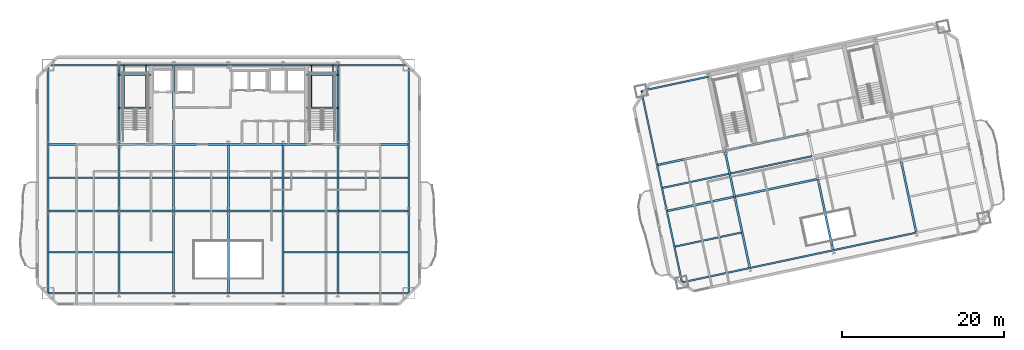
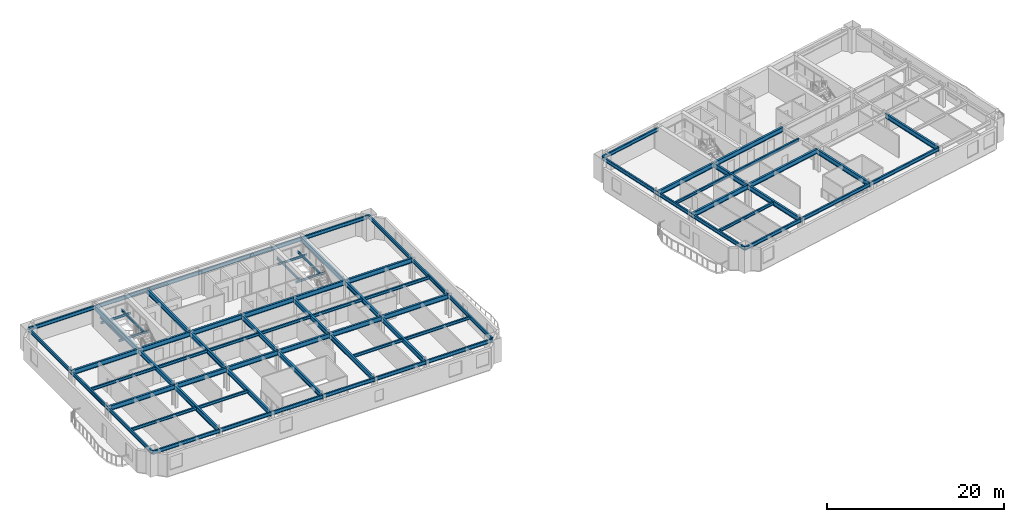
# One storey, part 3 of 13: 79 beams.
"""IFC4 building model written with IfcOpenShell, lengths in metres."""

from ifc_helpers import new_model, si_unit, direction, frame, origin, origin_2d, place, context, subcontext, project, spatial, i_section, extrude, material, material_profile, profile_set, type_object, element, save


model = new_model("IFC4")

# Units and contexts
model_context = context("Model", 3, precision=1e-05, world=origin(), true_north=direction((0.0, 1.0)))
body_context = subcontext(model_context, "Body", "Model", "MODEL_VIEW")
ifc_project = project(units=[si_unit("LENGTHUNIT", "METRE"), si_unit("AREAUNIT", "SQUARE_METRE"), si_unit("VOLUMEUNIT", "CUBIC_METRE"), si_unit("PLANEANGLEUNIT", "RADIAN"), si_unit("MASSUNIT", "GRAM", prefix="KILO")], contexts=[model_context])

# Site, building, storey
site_placement = place(None, origin())
site = spatial("IfcSite", under=ifc_project, at=site_placement, CompositionType="ELEMENT")
building_placement = place(site_placement, origin())
building = spatial("IfcBuilding", under=site, at=building_placement, Name="Haevon Station Towers", CompositionType="ELEMENT")
storey_placement = place(building_placement, frame((0.0, 0.0, 96.60009765625)))
storey = spatial("IfcBuildingStorey", under=building, at=storey_placement, Name="L25", CompositionType="ELEMENT", Elevation=96.60009765625)

# Beams
ifc_material = material(Name="Steel S355", Category="steel")
ifc_material_profile_1 = material_profile(ifc_material, i_section(OverallWidth=0.25, OverallDepth=0.64990234375, WebThickness=0.012939453125, FlangeThickness=0.02197265625, at=origin_2d()), Name="H-650x250x13x22")
ifc_profile_set_1 = profile_set([ifc_material_profile_1], Name="Steel S355")
beam_type_1 = type_object("IfcBeamType", Name="BM-G650", PredefinedType="BEAM", material=ifc_profile_set_1)
beam_1_placement = place(storey_placement, frame((15.25, 30.0, 2.724853515625), z_axis=(1.0, 0.0, 0.0), x_axis=(0.0, 1.0, 0.0)))
element("IfcBeam", 1, at=beam_1_placement, inside=storey, type_object=beam_type_1, Name="BM-T1U-L25-02-01", PredefinedType="BEAM", context=body_context, shape_type="SweptSolid", body=[
    extrude(i_section(OverallWidth=0.25, OverallDepth=0.64990234375, WebThickness=0.012939453125, FlangeThickness=0.02197265625, at=origin_2d()), origin(), (0.0, 0.0, 1.0), 8.75),
])
for number, where, z_axis, x_axis, name in (
    (2, (24.0, 30.0, 2.724853515625), (1.0, 0.0, 0.0), (0.0, 1.0, 0.0), "BM-T1U-L25-02-02"),
    (3, (30.75, 30.0, 2.724853515625), (1.0, 0.0, 0.0), (0.0, 1.0, 0.0), "BM-T1U-L25-02-03"),
    (4, (37.5, 30.0, 2.724853515625), (1.0, 0.0, 0.0), (0.0, 1.0, 0.0), "BM-T1U-L25-02-04"),
    (5, (44.25, 30.0, 2.724853515625), (1.0, 0.0, 0.0), (0.0, 1.0, 0.0), "BM-T1U-L25-02-05"),
):
    element("IfcBeam", number, at=place(storey_placement, frame(where, z_axis=z_axis, x_axis=x_axis)), inside=storey, type_object=beam_type_1, Name=name, PredefinedType="BEAM", context=body_context, shape_type="SweptSolid", body=[
        extrude(i_section(OverallWidth=0.25, OverallDepth=0.64990234375, WebThickness=0.012939453125, FlangeThickness=0.02197265625, at=origin_2d()), origin(), (0.0, 0.0, 1.0), 6.75),
    ])
for number, where, z_axis, x_axis, name in (
    (6, (51.0, 30.0, 2.724853515625), (1.0, 0.0, 0.0), (0.0, 1.0, 0.0), "BM-T1U-L25-02-06"),
    (7, (15.25, 38.199951171875, 2.724853515625), (1.0, 0.0, 0.0), (0.0, 1.0, 0.0), "BM-T1U-L25-03-01"),
):
    element("IfcBeam", number, at=place(storey_placement, frame(where, z_axis=z_axis, x_axis=x_axis)), inside=storey, type_object=beam_type_1, Name=name, PredefinedType="BEAM", context=body_context, shape_type="SweptSolid", body=[
        extrude(i_section(OverallWidth=0.25, OverallDepth=0.64990234375, WebThickness=0.012939453125, FlangeThickness=0.02197265625, at=origin_2d()), origin(), (0.0, 0.0, 1.0), 8.75),
    ])
for number, where, z_axis, x_axis, name in (
    (8, (24.0, 38.199951171875, 2.724853515625), (1.0, 0.0, 0.0), (0.0, 1.0, 0.0), "BM-T1U-L25-03-02"),
    (9, (30.75, 38.199951171875, 2.724853515625), (1.0, 0.0, 0.0), (0.0, 1.0, 0.0), "BM-T1U-L25-03-03"),
    (10, (37.5, 38.199951171875, 2.724853515625), (1.0, 0.0, 0.0), (0.0, 1.0, 0.0), "BM-T1U-L25-03-04"),
    (11, (44.25, 38.199951171875, 2.724853515625), (1.0, 0.0, 0.0), (0.0, 1.0, 0.0), "BM-T1U-L25-03-05"),
):
    element("IfcBeam", number, at=place(storey_placement, frame(where, z_axis=z_axis, x_axis=x_axis)), inside=storey, type_object=beam_type_1, Name=name, PredefinedType="BEAM", context=body_context, shape_type="SweptSolid", body=[
        extrude(i_section(OverallWidth=0.25, OverallDepth=0.64990234375, WebThickness=0.012939453125, FlangeThickness=0.02197265625, at=origin_2d()), origin(), (0.0, 0.0, 1.0), 6.75),
    ])
beam_2_placement = place(storey_placement, frame((51.0, 38.199951171875, 2.724853515625), z_axis=(1.0, 0.0, 0.0), x_axis=(0.0, 1.0, 0.0)))
element("IfcBeam", 12, at=beam_2_placement, inside=storey, type_object=beam_type_1, Name="BM-T1U-L25-03-06", PredefinedType="BEAM", context=body_context, shape_type="SweptSolid", body=[
    extrude(i_section(OverallWidth=0.25, OverallDepth=0.64990234375, WebThickness=0.012939453125, FlangeThickness=0.02197265625, at=origin_2d()), origin(), (0.0, 0.0, 1.0), 8.75),
])
beam_3_placement = place(storey_placement, frame((24.0, 19.85009765625, 2.724853515625), z_axis=(0.0, 1.0, 0.0), x_axis=(-1.0, 0.0, 0.0)))
element("IfcBeam", 13, at=beam_3_placement, inside=storey, type_object=beam_type_1, Name="BM-T1V-L25-02-01", PredefinedType="BEAM", context=body_context, shape_type="SweptSolid", body=[
    extrude(i_section(OverallWidth=0.25, OverallDepth=0.64990234375, WebThickness=0.012939453125, FlangeThickness=0.02197265625, at=origin_2d()), origin(), (0.0, 0.0, 1.0), 10.14990234375),
])
beam_4_placement = place(storey_placement, frame((24.0, 30.0, 2.724853515625), z_axis=(0.0, 1.0, 0.0), x_axis=(-1.0, 0.0, 0.0)))
element("IfcBeam", 14, at=beam_4_placement, inside=storey, type_object=beam_type_1, Name="BM-T1V-L25-02-02", PredefinedType="BEAM", context=body_context, shape_type="SweptSolid", body=[
    extrude(i_section(OverallWidth=0.25, OverallDepth=0.64990234375, WebThickness=0.012939453125, FlangeThickness=0.02197265625, at=origin_2d()), origin(), (0.0, 0.0, 1.0), 8.199951171875),
])
beam_5_placement = place(storey_placement, frame((24.0, 38.199951171875, 2.724853515625), z_axis=(0.0, 1.0, 0.0), x_axis=(-1.0, 0.0, 0.0)))
element("IfcBeam", 15, at=beam_5_placement, inside=storey, type_object=beam_type_1, Name="BM-T1V-L25-02-03", PredefinedType="BEAM", context=body_context, shape_type="SweptSolid", body=[
    extrude(i_section(OverallWidth=0.25, OverallDepth=0.64990234375, WebThickness=0.012939453125, FlangeThickness=0.02197265625, at=origin_2d()), origin(), (0.0, 0.0, 1.0), 9.800048828125),
])
beam_6_placement = place(storey_placement, frame((30.75, 19.85009765625, 2.724853515625), z_axis=(0.0, 1.0, 0.0), x_axis=(-1.0, 0.0, 0.0)))
element("IfcBeam", 16, at=beam_6_placement, inside=storey, type_object=beam_type_1, Name="BM-T1V-L25-03-01", PredefinedType="BEAM", context=body_context, shape_type="SweptSolid", body=[
    extrude(i_section(OverallWidth=0.25, OverallDepth=0.64990234375, WebThickness=0.012939453125, FlangeThickness=0.02197265625, at=origin_2d()), origin(), (0.0, 0.0, 1.0), 10.14990234375),
])
beam_7_placement = place(storey_placement, frame((30.75, 30.0, 2.724853515625), z_axis=(0.0, 1.0, 0.0), x_axis=(-1.0, 0.0, 0.0)))
element("IfcBeam", 17, at=beam_7_placement, inside=storey, type_object=beam_type_1, Name="BM-T1V-L25-03-02", PredefinedType="BEAM", context=body_context, shape_type="SweptSolid", body=[
    extrude(i_section(OverallWidth=0.25, OverallDepth=0.64990234375, WebThickness=0.012939453125, FlangeThickness=0.02197265625, at=origin_2d()), origin(), (0.0, 0.0, 1.0), 8.199951171875),
])
beam_8_placement = place(storey_placement, frame((30.75, 38.199951171875, 2.724853515625), z_axis=(0.0, 1.0, 0.0), x_axis=(-1.0, 0.0, 0.0)))
element("IfcBeam", 18, at=beam_8_placement, inside=storey, type_object=beam_type_1, Name="BM-T1V-L25-03-03", PredefinedType="BEAM", context=body_context, shape_type="SweptSolid", body=[
    extrude(i_section(OverallWidth=0.25, OverallDepth=0.64990234375, WebThickness=0.012939453125, FlangeThickness=0.02197265625, at=origin_2d()), origin(), (0.0, 0.0, 1.0), 9.800048828125),
])
beam_9_placement = place(storey_placement, frame((37.5, 19.85009765625, 2.724853515625), z_axis=(0.0, 1.0, 0.0), x_axis=(-1.0, 0.0, 0.0)))
element("IfcBeam", 19, at=beam_9_placement, inside=storey, type_object=beam_type_1, Name="BM-T1V-L25-04-01", PredefinedType="BEAM", context=body_context, shape_type="SweptSolid", body=[
    extrude(i_section(OverallWidth=0.25, OverallDepth=0.64990234375, WebThickness=0.012939453125, FlangeThickness=0.02197265625, at=origin_2d()), origin(), (0.0, 0.0, 1.0), 10.14990234375),
])
beam_10_placement = place(storey_placement, frame((37.5, 30.0, 2.724853515625), z_axis=(0.0, 1.0, 0.0), x_axis=(-1.0, 0.0, 0.0)))
element("IfcBeam", 20, at=beam_10_placement, inside=storey, type_object=beam_type_1, Name="BM-T1V-L25-04-02", PredefinedType="BEAM", context=body_context, shape_type="SweptSolid", body=[
    extrude(i_section(OverallWidth=0.25, OverallDepth=0.64990234375, WebThickness=0.012939453125, FlangeThickness=0.02197265625, at=origin_2d()), origin(), (0.0, 0.0, 1.0), 8.199951171875),
])
beam_11_placement = place(storey_placement, frame((44.25, 19.85009765625, 2.724853515625), z_axis=(0.0, 1.0, 0.0), x_axis=(-1.0, 0.0, 0.0)))
element("IfcBeam", 21, at=beam_11_placement, inside=storey, type_object=beam_type_1, Name="BM-T1V-L25-05-01", PredefinedType="BEAM", context=body_context, shape_type="SweptSolid", body=[
    extrude(i_section(OverallWidth=0.25, OverallDepth=0.64990234375, WebThickness=0.012939453125, FlangeThickness=0.02197265625, at=origin_2d()), origin(), (0.0, 0.0, 1.0), 10.14990234375),
])
beam_12_placement = place(storey_placement, frame((44.25, 30.0, 2.724853515625), z_axis=(0.0, 1.0, 0.0), x_axis=(-1.0, 0.0, 0.0)))
element("IfcBeam", 22, at=beam_12_placement, inside=storey, type_object=beam_type_1, Name="BM-T1V-L25-05-02", PredefinedType="BEAM", context=body_context, shape_type="SweptSolid", body=[
    extrude(i_section(OverallWidth=0.25, OverallDepth=0.64990234375, WebThickness=0.012939453125, FlangeThickness=0.02197265625, at=origin_2d()), origin(), (0.0, 0.0, 1.0), 8.199951171875),
])
beam_13_placement = place(storey_placement, frame((51.0, 19.85009765625, 2.724853515625), z_axis=(0.0, 1.0, 0.0), x_axis=(-1.0, 0.0, 0.0)))
element("IfcBeam", 23, at=beam_13_placement, inside=storey, type_object=beam_type_1, Name="BM-T1V-L25-06-01", PredefinedType="BEAM", context=body_context, shape_type="SweptSolid", body=[
    extrude(i_section(OverallWidth=0.25, OverallDepth=0.64990234375, WebThickness=0.012939453125, FlangeThickness=0.02197265625, at=origin_2d()), origin(), (0.0, 0.0, 1.0), 10.14990234375),
])
beam_14_placement = place(storey_placement, frame((51.0, 30.0, 2.724853515625), z_axis=(0.0, 1.0, 0.0), x_axis=(-1.0, 0.0, 0.0)))
element("IfcBeam", 24, at=beam_14_placement, inside=storey, type_object=beam_type_1, Name="BM-T1V-L25-06-02", PredefinedType="BEAM", context=body_context, shape_type="SweptSolid", body=[
    extrude(i_section(OverallWidth=0.25, OverallDepth=0.64990234375, WebThickness=0.012939453125, FlangeThickness=0.02197265625, at=origin_2d()), origin(), (0.0, 0.0, 1.0), 8.199951171875),
])
beam_15_placement = place(storey_placement, frame((51.0, 38.199951171875, 2.724853515625), z_axis=(0.0, 1.0, 0.0), x_axis=(-1.0, 0.0, 0.0)))
element("IfcBeam", 25, at=beam_15_placement, inside=storey, type_object=beam_type_1, Name="BM-T1V-L25-06-03", PredefinedType="BEAM", context=body_context, shape_type="SweptSolid", body=[
    extrude(i_section(OverallWidth=0.25, OverallDepth=0.64990234375, WebThickness=0.012939453125, FlangeThickness=0.02197265625, at=origin_2d()), origin(), (0.0, 0.0, 1.0), 9.800048828125),
])
beam_16_placement = place(storey_placement, frame((91.594970703125, 29.991455078125, 2.724853515625), z_axis=(0.978149560998, 0.207902468287, 0.0), x_axis=(-0.207902468287, 0.978149560998, 0.0)))
element("IfcBeam", 26, at=beam_16_placement, inside=storey, type_object=beam_type_1, Name="BM-T2U-L25-02-01", PredefinedType="BEAM", context=body_context, shape_type="SweptSolid", body=[
    extrude(i_section(OverallWidth=0.25, OverallDepth=0.64990234375, WebThickness=0.012939453125, FlangeThickness=0.02197265625, at=origin_2d()), origin(), (0.0, 0.0, 1.0), 8.550048828125),
])
beam_17_placement = place(storey_placement, frame((99.958251953125, 31.76904296875, 2.724853515625), z_axis=(0.978146794194, 0.207915485254, 0.0), x_axis=(-0.207915485254, 0.978146794194, 0.0)))
element("IfcBeam", 27, at=beam_17_placement, inside=storey, type_object=beam_type_1, Name="BM-T2U-L25-02-02", PredefinedType="BEAM", context=body_context, shape_type="SweptSolid", body=[
    extrude(i_section(OverallWidth=0.25, OverallDepth=0.64990234375, WebThickness=0.012939453125, FlangeThickness=0.02197265625, at=origin_2d()), origin(), (0.0, 0.0, 1.0), 10.5),
])
beam_18_placement = place(storey_placement, frame((90.38916015625, 35.664794921875, 2.724853515625), z_axis=(0.978149560998, 0.207902468287, 0.0), x_axis=(-0.207902468287, 0.978149560998, 0.0)))
element("IfcBeam", 28, at=beam_18_placement, inside=storey, type_object=beam_type_1, Name="BM-T2U-L25-03-01", PredefinedType="BEAM", context=body_context, shape_type="SweptSolid", body=[
    extrude(i_section(OverallWidth=0.25, OverallDepth=0.64990234375, WebThickness=0.012939453125, FlangeThickness=0.02197265625, at=origin_2d()), origin(), (0.0, 0.0, 1.0), 8.550048828125),
])
beam_19_placement = place(storey_placement, frame((98.75244140625, 37.4423828125, 2.724853515625), z_axis=(0.978146794194, 0.207915485254, 0.0), x_axis=(-0.207915485254, 0.978146794194, 0.0)))
element("IfcBeam", 29, at=beam_19_placement, inside=storey, type_object=beam_type_1, Name="BM-T2U-L25-03-02", PredefinedType="BEAM", context=body_context, shape_type="SweptSolid", body=[
    extrude(i_section(OverallWidth=0.25, OverallDepth=0.64990234375, WebThickness=0.012939453125, FlangeThickness=0.02197265625, at=origin_2d()), origin(), (0.0, 0.0, 1.0), 10.5),
])
beam_20_placement = place(storey_placement, frame((101.829345703125, 22.9658203125, 2.724853515625), z_axis=(-0.20790223038, 0.978149611564, 0.0), x_axis=(-0.978149611564, -0.20790223038, 0.0)))
element("IfcBeam", 30, at=beam_20_placement, inside=storey, type_object=beam_type_1, Name="BM-T2V-L25-02-01", PredefinedType="BEAM", context=body_context, shape_type="SweptSolid", body=[
    extrude(i_section(OverallWidth=0.25, OverallDepth=0.64990234375, WebThickness=0.012939453125, FlangeThickness=0.02197265625, at=origin_2d()), origin(), (0.0, 0.0, 1.0), 8.999755859375),
])
beam_21_placement = place(storey_placement, frame((99.958251953125, 31.76904296875, 2.724853515625), z_axis=(-0.207896009217, 0.97815093383, 0.0), x_axis=(-0.97815093383, -0.207896009217, 0.0)))
element("IfcBeam", 31, at=beam_21_placement, inside=storey, type_object=beam_type_1, Name="BM-T2V-L25-02-02", PredefinedType="BEAM", context=body_context, shape_type="SweptSolid", body=[
    extrude(i_section(OverallWidth=0.25, OverallDepth=0.64990234375, WebThickness=0.012939453125, FlangeThickness=0.02197265625, at=origin_2d()), origin(), (0.0, 0.0, 1.0), 5.800048828125),
])
for number, where, z_axis, x_axis, name in (
    (32, (112.10009765625, 25.14892578125, 2.724853515625), (-0.207928184753, 0.978144094694, 0.0), (-0.978144094694, -0.207928184753, 0.0), "BM-T2V-L25-03-01"),
    (33, (122.37060546875, 27.33203125, 2.724853515625), (-0.207928184753, 0.978144094694, 0.0), (-0.978144094694, -0.207928184753, 0.0), "BM-T2V-L25-04-01"),
):
    element("IfcBeam", number, at=place(storey_placement, frame(where, z_axis=z_axis, x_axis=x_axis)), inside=storey, type_object=beam_type_1, Name=name, PredefinedType="BEAM", context=body_context, shape_type="SweptSolid", body=[
        extrude(i_section(OverallWidth=0.25, OverallDepth=0.64990234375, WebThickness=0.012939453125, FlangeThickness=0.02197265625, at=origin_2d()), origin(), (0.0, 0.0, 1.0), 9.0),
    ])
ifc_material_profile_2 = material_profile(ifc_material, i_section(OverallWidth=0.199951171875, OverallDepth=0.39990234375, WebThickness=0.008056640625, FlangeThickness=0.012939453125, at=origin_2d()), Name="H-400x200x8x13")
ifc_profile_set_2 = profile_set([ifc_material_profile_2], Name="Steel S355")
beam_type_2 = type_object("IfcBeamType", Name="BM-J400", PredefinedType="JOIST", material=ifc_profile_set_2)
beam_22_placement = place(storey_placement, frame((15.360107421875, 24.925048828125, 2.849853515625), z_axis=(1.0, 0.0, 0.0), x_axis=(0.0, 1.0, 0.0)))
element("IfcBeam", 34, at=beam_22_placement, inside=storey, type_object=beam_type_2, Name="BM-T1J-L25-01-01", PredefinedType="JOIST", context=body_context, shape_type="SweptSolid", body=[
    extrude(i_section(OverallWidth=0.199951171875, OverallDepth=0.39990234375, WebThickness=0.008056640625, FlangeThickness=0.012939453125, at=origin_2d()), origin(), (0.0, 0.0, 1.0), 8.52978515625),
])
for number, where, z_axis, x_axis, name in (
    (35, (24.110107421875, 24.925048828125, 2.849853515625), (1.0, 0.0, 0.0), (0.0, 1.0, 0.0), "BM-T1J-L25-01-02"),
    (36, (44.360107421875, 24.925048828125, 2.849853515625), (1.0, 0.0, 0.0), (0.0, 1.0, 0.0), "BM-T1J-L25-01-05"),
):
    element("IfcBeam", number, at=place(storey_placement, frame(where, z_axis=z_axis, x_axis=x_axis)), inside=storey, type_object=beam_type_2, Name=name, PredefinedType="JOIST", context=body_context, shape_type="SweptSolid", body=[
        extrude(i_section(OverallWidth=0.199951171875, OverallDepth=0.39990234375, WebThickness=0.008056640625, FlangeThickness=0.012939453125, at=origin_2d()), origin(), (0.0, 0.0, 1.0), 6.52978515625),
    ])
for number, where, z_axis, x_axis, name in (
    (37, (51.110107421875, 24.925048828125, 2.849853515625), (1.0, 0.0, 0.0), (0.0, 1.0, 0.0), "BM-T1J-L25-01-06"),
    (38, (15.360107421875, 34.10009765625, 2.849853515625), (1.0, 0.0, 0.0), (0.0, 1.0, 0.0), "BM-T1J-L25-02-01"),
):
    element("IfcBeam", number, at=place(storey_placement, frame(where, z_axis=z_axis, x_axis=x_axis)), inside=storey, type_object=beam_type_2, Name=name, PredefinedType="JOIST", context=body_context, shape_type="SweptSolid", body=[
        extrude(i_section(OverallWidth=0.199951171875, OverallDepth=0.39990234375, WebThickness=0.008056640625, FlangeThickness=0.012939453125, at=origin_2d()), origin(), (0.0, 0.0, 1.0), 8.52978515625),
    ])
for number, where, z_axis, x_axis, name in (
    (39, (24.110107421875, 34.10009765625, 2.849853515625), (1.0, 0.0, 0.0), (0.0, 1.0, 0.0), "BM-T1J-L25-02-02"),
    (40, (30.860107421875, 34.10009765625, 2.849853515625), (1.0, 0.0, 0.0), (0.0, 1.0, 0.0), "BM-T1J-L25-02-03"),
    (41, (37.610107421875, 34.10009765625, 2.849853515625), (1.0, 0.0, 0.0), (0.0, 1.0, 0.0), "BM-T1J-L25-02-04"),
    (42, (44.360107421875, 34.10009765625, 2.849853515625), (1.0, 0.0, 0.0), (0.0, 1.0, 0.0), "BM-T1J-L25-02-05"),
):
    element("IfcBeam", number, at=place(storey_placement, frame(where, z_axis=z_axis, x_axis=x_axis)), inside=storey, type_object=beam_type_2, Name=name, PredefinedType="JOIST", context=body_context, shape_type="SweptSolid", body=[
        extrude(i_section(OverallWidth=0.199951171875, OverallDepth=0.39990234375, WebThickness=0.008056640625, FlangeThickness=0.012939453125, at=origin_2d()), origin(), (0.0, 0.0, 1.0), 6.52978515625),
    ])
beam_23_placement = place(storey_placement, frame((51.110107421875, 34.10009765625, 2.849853515625), z_axis=(1.0, 0.0, 0.0), x_axis=(0.0, 1.0, 0.0)))
element("IfcBeam", 43, at=beam_23_placement, inside=storey, type_object=beam_type_2, Name="BM-T1J-L25-02-06", PredefinedType="JOIST", context=body_context, shape_type="SweptSolid", body=[
    extrude(i_section(OverallWidth=0.199951171875, OverallDepth=0.39990234375, WebThickness=0.008056640625, FlangeThickness=0.012939453125, at=origin_2d()), origin(), (0.0, 0.0, 1.0), 8.52978515625),
])
beam_24_placement = place(storey_placement, frame((92.63818359375, 25.61279296875, 2.849853515625), z_axis=(0.978146782292, 0.207915541247, 0.0), x_axis=(-0.207915541247, 0.978146782292, 0.0)))
element("IfcBeam", 44, at=beam_24_placement, inside=storey, type_object=beam_type_2, Name="BM-T2J-L25-01-01", PredefinedType="JOIST", context=body_context, shape_type="SweptSolid", body=[
    extrude(i_section(OverallWidth=0.199951171875, OverallDepth=0.39990234375, WebThickness=0.008056640625, FlangeThickness=0.012939453125, at=origin_2d()), origin(), (0.0, 0.0, 1.0), 8.330078125),
])
beam_25_placement = place(storey_placement, frame((91.099609375, 32.85107421875, 2.849853515625), z_axis=(0.978148049217, 0.207909580858, 0.0), x_axis=(-0.207909580858, 0.978148049217, 0.0)))
element("IfcBeam", 45, at=beam_25_placement, inside=storey, type_object=beam_type_2, Name="BM-T2J-L25-02-01", PredefinedType="JOIST", context=body_context, shape_type="SweptSolid", body=[
    extrude(i_section(OverallWidth=0.199951171875, OverallDepth=0.39990234375, WebThickness=0.008056640625, FlangeThickness=0.012939453125, at=origin_2d()), origin(), (0.0, 0.0, 1.0), 8.330322265625),
])
beam_26_placement = place(storey_placement, frame((99.462890625, 34.628662109375, 2.849853515625), z_axis=(0.978150339653, 0.207898804801, 0.0), x_axis=(-0.207898804801, 0.978150339653, 0.0)))
element("IfcBeam", 46, at=beam_26_placement, inside=storey, type_object=beam_type_2, Name="BM-T2J-L25-02-02", PredefinedType="JOIST", context=body_context, shape_type="SweptSolid", body=[
    extrude(i_section(OverallWidth=0.199951171875, OverallDepth=0.39990234375, WebThickness=0.008056640625, FlangeThickness=0.012939453125, at=origin_2d()), origin(), (0.0, 0.0, 1.0), 10.280029296875),
])
ifc_material_profile_3 = material_profile(ifc_material, i_section(OverallWidth=0.14990234375, OverallDepth=0.300048828125, WebThickness=0.006591796875, FlangeThickness=0.009033203125, at=origin_2d()), Name="H-300x150x6.5x9")
ifc_profile_set_3 = profile_set([ifc_material_profile_3], Name="Steel S355")
beam_type_3 = type_object("IfcBeamType", Name="BM-LIN300", PredefinedType="LINTEL", material=ifc_profile_set_3)
for number, where, z_axis, x_axis, name in (
    (47, (24.0, 42.743896484375, 1.2998046875), (1.0, 0.0, 0.0), (0.0, 1.0, 0.0), "BM-ST1L-L25-1-S"),
    (48, (24.0, 46.820068359375, 1.2998046875), (1.0, 0.0, 0.0), (0.0, 1.0, 0.0), "BM-ST1L-L25-1-N"),
):
    element("IfcBeam", number, at=place(storey_placement, frame(where, z_axis=z_axis, x_axis=x_axis)), inside=storey, type_object=beam_type_3, Name=name, PredefinedType="LINTEL", context=body_context, shape_type="SweptSolid", body=[
        extrude(i_section(OverallWidth=0.14990234375, OverallDepth=0.300048828125, WebThickness=0.006591796875, FlangeThickness=0.009033203125, at=origin_2d()), origin(), (0.0, 0.0, 1.0), 3.949951171875),
    ])
for number, where, z_axis, x_axis, name in (
    (49, (24.60009765625, 42.743896484375, 1.2998046875), (0.0, 1.0, 0.0), (-1.0, 0.0, 0.0), "BM-ST1L-L25-1-W"),
    (50, (27.35009765625, 42.743896484375, 1.2998046875), (0.0, 1.0, 0.0), (-1.0, 0.0, 0.0), "BM-ST1L-L25-1-E"),
):
    element("IfcBeam", number, at=place(storey_placement, frame(where, z_axis=z_axis, x_axis=x_axis)), inside=storey, type_object=beam_type_3, Name=name, PredefinedType="LINTEL", context=body_context, shape_type="SweptSolid", body=[
        extrude(i_section(OverallWidth=0.14990234375, OverallDepth=0.300048828125, WebThickness=0.006591796875, FlangeThickness=0.009033203125, at=origin_2d()), origin(), (0.0, 0.0, 1.0), 5.256103515625),
    ])
for number, where, z_axis, x_axis, name in (
    (51, (47.14990234375, 42.743896484375, 1.2998046875), (1.0, 0.0, 0.0), (0.0, 1.0, 0.0), "BM-ST2L-L25-1-S"),
    (52, (47.14990234375, 46.820068359375, 1.2998046875), (1.0, 0.0, 0.0), (0.0, 1.0, 0.0), "BM-ST2L-L25-1-N"),
):
    element("IfcBeam", number, at=place(storey_placement, frame(where, z_axis=z_axis, x_axis=x_axis)), inside=storey, type_object=beam_type_3, Name=name, PredefinedType="LINTEL", context=body_context, shape_type="SweptSolid", body=[
        extrude(i_section(OverallWidth=0.14990234375, OverallDepth=0.300048828125, WebThickness=0.006591796875, FlangeThickness=0.009033203125, at=origin_2d()), origin(), (0.0, 0.0, 1.0), 3.85009765625),
    ])
for number, where, z_axis, x_axis, name in (
    (53, (47.75, 42.743896484375, 1.2998046875), (0.0, 1.0, 0.0), (-1.0, 0.0, 0.0), "BM-ST2L-L25-1-W"),
    (54, (50.39990234375, 42.743896484375, 1.2998046875), (0.0, 1.0, 0.0), (-1.0, 0.0, 0.0), "BM-ST2L-L25-1-E"),
):
    element("IfcBeam", number, at=place(storey_placement, frame(where, z_axis=z_axis, x_axis=x_axis)), inside=storey, type_object=beam_type_3, Name=name, PredefinedType="LINTEL", context=body_context, shape_type="SweptSolid", body=[
        extrude(i_section(OverallWidth=0.14990234375, OverallDepth=0.300048828125, WebThickness=0.006591796875, FlangeThickness=0.009033203125, at=origin_2d()), origin(), (0.0, 0.0, 1.0), 5.256103515625),
    ])
ifc_material_profile_4 = material_profile(ifc_material, i_section(OverallWidth=0.199951171875, OverallDepth=0.5, WebThickness=0.010009765625, FlangeThickness=0.01611328125, at=origin_2d()), Name="H-500x200x10x16")
ifc_profile_set_4 = profile_set([ifc_material_profile_4], Name="Steel S355")
beam_type_4 = type_object("IfcBeamType", Name="BM-SP500", PredefinedType="SPANDREL", material=ifc_profile_set_4)
beam_27_placement = place(storey_placement, frame((15.25, 19.85009765625, 2.7998046875), z_axis=(1.0, 0.0, 0.0), x_axis=(0.0, 1.0, 0.0)))
element("IfcBeam", 55, at=beam_27_placement, inside=storey, type_object=beam_type_4, Name="BM-T1U-L25-01-01", PredefinedType="SPANDREL", context=body_context, shape_type="SweptSolid", body=[
    extrude(i_section(OverallWidth=0.199951171875, OverallDepth=0.5, WebThickness=0.010009765625, FlangeThickness=0.01611328125, at=origin_2d()), origin(), (0.0, 0.0, 1.0), 8.75),
])
for number, where, z_axis, x_axis, name in (
    (56, (24.0, 19.85009765625, 2.7998046875), (1.0, 0.0, 0.0), (0.0, 1.0, 0.0), "BM-T1U-L25-01-02"),
    (57, (30.75, 19.85009765625, 2.7998046875), (1.0, 0.0, 0.0), (0.0, 1.0, 0.0), "BM-T1U-L25-01-03"),
    (58, (37.5, 19.85009765625, 2.7998046875), (1.0, 0.0, 0.0), (0.0, 1.0, 0.0), "BM-T1U-L25-01-04"),
    (59, (44.25, 19.85009765625, 2.7998046875), (1.0, 0.0, 0.0), (0.0, 1.0, 0.0), "BM-T1U-L25-01-05"),
):
    element("IfcBeam", number, at=place(storey_placement, frame(where, z_axis=z_axis, x_axis=x_axis)), inside=storey, type_object=beam_type_4, Name=name, PredefinedType="SPANDREL", context=body_context, shape_type="SweptSolid", body=[
        extrude(i_section(OverallWidth=0.199951171875, OverallDepth=0.5, WebThickness=0.010009765625, FlangeThickness=0.01611328125, at=origin_2d()), origin(), (0.0, 0.0, 1.0), 6.75),
    ])
for number, where, z_axis, x_axis, name in (
    (60, (51.0, 19.85009765625, 2.7998046875), (1.0, 0.0, 0.0), (0.0, 1.0, 0.0), "BM-T1U-L25-01-06"),
    (61, (15.25, 48.0, 2.7998046875), (1.0, 0.0, 0.0), (0.0, 1.0, 0.0), "BM-T1U-L25-04-01"),
):
    element("IfcBeam", number, at=place(storey_placement, frame(where, z_axis=z_axis, x_axis=x_axis)), inside=storey, type_object=beam_type_4, Name=name, PredefinedType="SPANDREL", context=body_context, shape_type="SweptSolid", body=[
        extrude(i_section(OverallWidth=0.199951171875, OverallDepth=0.5, WebThickness=0.010009765625, FlangeThickness=0.01611328125, at=origin_2d()), origin(), (0.0, 0.0, 1.0), 8.75),
    ])
for number, where, z_axis, x_axis, name in (
    (62, (24.0, 48.0, 2.7998046875), (1.0, 0.0, 0.0), (0.0, 1.0, 0.0), "BM-T1U-L25-04-02"),
    (63, (30.75, 48.0, 2.7998046875), (1.0, 0.0, 0.0), (0.0, 1.0, 0.0), "BM-T1U-L25-04-03"),
    (64, (37.5, 48.0, 2.7998046875), (1.0, 0.0, 0.0), (0.0, 1.0, 0.0), "BM-T1U-L25-04-04"),
    (65, (44.25, 48.0, 2.7998046875), (1.0, 0.0, 0.0), (0.0, 1.0, 0.0), "BM-T1U-L25-04-05"),
):
    element("IfcBeam", number, at=place(storey_placement, frame(where, z_axis=z_axis, x_axis=x_axis)), inside=storey, type_object=beam_type_4, Name=name, PredefinedType="SPANDREL", context=body_context, shape_type="SweptSolid", body=[
        extrude(i_section(OverallWidth=0.199951171875, OverallDepth=0.5, WebThickness=0.010009765625, FlangeThickness=0.01611328125, at=origin_2d()), origin(), (0.0, 0.0, 1.0), 6.75),
    ])
beam_28_placement = place(storey_placement, frame((51.0, 48.0, 2.7998046875), z_axis=(1.0, 0.0, 0.0), x_axis=(0.0, 1.0, 0.0)))
element("IfcBeam", 66, at=beam_28_placement, inside=storey, type_object=beam_type_4, Name="BM-T1U-L25-04-06", PredefinedType="SPANDREL", context=body_context, shape_type="SweptSolid", body=[
    extrude(i_section(OverallWidth=0.199951171875, OverallDepth=0.5, WebThickness=0.010009765625, FlangeThickness=0.01611328125, at=origin_2d()), origin(), (0.0, 0.0, 1.0), 8.75),
])
beam_29_placement = place(storey_placement, frame((15.25, 19.85009765625, 2.7998046875), z_axis=(0.0, 1.0, 0.0), x_axis=(-1.0, 0.0, 0.0)))
element("IfcBeam", 67, at=beam_29_placement, inside=storey, type_object=beam_type_4, Name="BM-T1V-L25-01-01", PredefinedType="SPANDREL", context=body_context, shape_type="SweptSolid", body=[
    extrude(i_section(OverallWidth=0.199951171875, OverallDepth=0.5, WebThickness=0.010009765625, FlangeThickness=0.01611328125, at=origin_2d()), origin(), (0.0, 0.0, 1.0), 10.14990234375),
])
beam_30_placement = place(storey_placement, frame((15.25, 30.0, 2.7998046875), z_axis=(0.0, 1.0, 0.0), x_axis=(-1.0, 0.0, 0.0)))
element("IfcBeam", 68, at=beam_30_placement, inside=storey, type_object=beam_type_4, Name="BM-T1V-L25-01-02", PredefinedType="SPANDREL", context=body_context, shape_type="SweptSolid", body=[
    extrude(i_section(OverallWidth=0.199951171875, OverallDepth=0.5, WebThickness=0.010009765625, FlangeThickness=0.01611328125, at=origin_2d()), origin(), (0.0, 0.0, 1.0), 8.199951171875),
])
beam_31_placement = place(storey_placement, frame((15.25, 38.199951171875, 2.7998046875), z_axis=(0.0, 1.0, 0.0), x_axis=(-1.0, 0.0, 0.0)))
element("IfcBeam", 69, at=beam_31_placement, inside=storey, type_object=beam_type_4, Name="BM-T1V-L25-01-03", PredefinedType="SPANDREL", context=body_context, shape_type="SweptSolid", body=[
    extrude(i_section(OverallWidth=0.199951171875, OverallDepth=0.5, WebThickness=0.010009765625, FlangeThickness=0.01611328125, at=origin_2d()), origin(), (0.0, 0.0, 1.0), 9.800048828125),
])
beam_32_placement = place(storey_placement, frame((59.75, 19.85009765625, 2.7998046875), z_axis=(0.0, 1.0, 0.0), x_axis=(-1.0, 0.0, 0.0)))
element("IfcBeam", 70, at=beam_32_placement, inside=storey, type_object=beam_type_4, Name="BM-T1V-L25-07-01", PredefinedType="SPANDREL", context=body_context, shape_type="SweptSolid", body=[
    extrude(i_section(OverallWidth=0.199951171875, OverallDepth=0.5, WebThickness=0.010009765625, FlangeThickness=0.01611328125, at=origin_2d()), origin(), (0.0, 0.0, 1.0), 10.14990234375),
])
beam_33_placement = place(storey_placement, frame((59.75, 30.0, 2.7998046875), z_axis=(0.0, 1.0, 0.0), x_axis=(-1.0, 0.0, 0.0)))
element("IfcBeam", 71, at=beam_33_placement, inside=storey, type_object=beam_type_4, Name="BM-T1V-L25-07-02", PredefinedType="SPANDREL", context=body_context, shape_type="SweptSolid", body=[
    extrude(i_section(OverallWidth=0.199951171875, OverallDepth=0.5, WebThickness=0.010009765625, FlangeThickness=0.01611328125, at=origin_2d()), origin(), (0.0, 0.0, 1.0), 8.199951171875),
])
beam_34_placement = place(storey_placement, frame((59.75, 38.199951171875, 2.7998046875), z_axis=(0.0, 1.0, 0.0), x_axis=(-1.0, 0.0, 0.0)))
element("IfcBeam", 72, at=beam_34_placement, inside=storey, type_object=beam_type_4, Name="BM-T1V-L25-07-03", PredefinedType="SPANDREL", context=body_context, shape_type="SweptSolid", body=[
    extrude(i_section(OverallWidth=0.199951171875, OverallDepth=0.5, WebThickness=0.010009765625, FlangeThickness=0.01611328125, at=origin_2d()), origin(), (0.0, 0.0, 1.0), 9.800048828125),
])
beam_35_placement = place(storey_placement, frame((93.46630859375, 21.188232421875, 2.7998046875), z_axis=(0.978148326739, 0.2079082752, 0.0), x_axis=(-0.2079082752, 0.978148326739, 0.0)))
element("IfcBeam", 73, at=beam_35_placement, inside=storey, type_object=beam_type_4, Name="BM-T2U-L25-01-01", PredefinedType="SPANDREL", context=body_context, shape_type="SweptSolid", body=[
    extrude(i_section(OverallWidth=0.199951171875, OverallDepth=0.5, WebThickness=0.010009765625, FlangeThickness=0.01611328125, at=origin_2d()), origin(), (0.0, 0.0, 1.0), 8.5498046875),
])
beam_36_placement = place(storey_placement, frame((101.829345703125, 22.9658203125, 2.7998046875), z_axis=(0.978147799298, 0.207910756646, 0.0), x_axis=(-0.207910756646, 0.978147799298, 0.0)))
element("IfcBeam", 74, at=beam_36_placement, inside=storey, type_object=beam_type_4, Name="BM-T2U-L25-01-02", PredefinedType="SPANDREL", context=body_context, shape_type="SweptSolid", body=[
    extrude(i_section(OverallWidth=0.199951171875, OverallDepth=0.5, WebThickness=0.010009765625, FlangeThickness=0.01611328125, at=origin_2d()), origin(), (0.0, 0.0, 1.0), 10.500244140625),
])
beam_37_placement = place(storey_placement, frame((112.10009765625, 25.14892578125, 2.7998046875), z_axis=(0.978146794194, 0.207915485254, 0.0), x_axis=(-0.207915485254, 0.978146794194, 0.0)))
element("IfcBeam", 75, at=beam_37_placement, inside=storey, type_object=beam_type_4, Name="BM-T2U-L25-01-03", PredefinedType="SPANDREL", context=body_context, shape_type="SweptSolid", body=[
    extrude(i_section(OverallWidth=0.199951171875, OverallDepth=0.5, WebThickness=0.010009765625, FlangeThickness=0.01611328125, at=origin_2d()), origin(), (0.0, 0.0, 1.0), 10.5),
])
beam_38_placement = place(storey_placement, frame((88.4453125, 44.810546875, 2.7998046875), z_axis=(0.978148326739, 0.2079082752, 0.0), x_axis=(-0.2079082752, 0.978148326739, 0.0)))
element("IfcBeam", 76, at=beam_38_placement, inside=storey, type_object=beam_type_4, Name="BM-T2U-L25-04-01", PredefinedType="SPANDREL", context=body_context, shape_type="SweptSolid", body=[
    extrude(i_section(OverallWidth=0.199951171875, OverallDepth=0.5, WebThickness=0.010009765625, FlangeThickness=0.01611328125, at=origin_2d()), origin(), (0.0, 0.0, 1.0), 8.5498046875),
])
beam_39_placement = place(storey_placement, frame((93.46630859375, 21.188232421875, 2.7998046875), z_axis=(-0.207928184753, 0.978144094694, 0.0), x_axis=(-0.978144094694, -0.207928184753, 0.0)))
element("IfcBeam", 77, at=beam_39_placement, inside=storey, type_object=beam_type_4, Name="BM-T2V-L25-01-01", PredefinedType="SPANDREL", context=body_context, shape_type="SweptSolid", body=[
    extrude(i_section(OverallWidth=0.199951171875, OverallDepth=0.5, WebThickness=0.010009765625, FlangeThickness=0.01611328125, at=origin_2d()), origin(), (0.0, 0.0, 1.0), 9.0),
])
beam_40_placement = place(storey_placement, frame((91.594970703125, 29.991455078125, 2.7998046875), z_axis=(-0.207896009217, 0.97815093383, 0.0), x_axis=(-0.97815093383, -0.207896009217, 0.0)))
element("IfcBeam", 78, at=beam_40_placement, inside=storey, type_object=beam_type_4, Name="BM-T2V-L25-01-02", PredefinedType="SPANDREL", context=body_context, shape_type="SweptSolid", body=[
    extrude(i_section(OverallWidth=0.199951171875, OverallDepth=0.5, WebThickness=0.010009765625, FlangeThickness=0.01611328125, at=origin_2d()), origin(), (0.0, 0.0, 1.0), 5.800048828125),
])
beam_41_placement = place(storey_placement, frame((90.38916015625, 35.664794921875, 2.7998046875), z_axis=(-0.207897167074, 0.978150687738, 0.0), x_axis=(-0.978150687738, -0.207897167074, 0.0)))
element("IfcBeam", 79, at=beam_41_placement, inside=storey, type_object=beam_type_4, Name="BM-T2V-L25-01-03", PredefinedType="SPANDREL", context=body_context, shape_type="SweptSolid", body=[
    extrude(i_section(OverallWidth=0.199951171875, OverallDepth=0.5, WebThickness=0.010009765625, FlangeThickness=0.01611328125, at=origin_2d()), origin(), (0.0, 0.0, 1.0), 9.35009765625),
])

save(model, "model.ifc")
